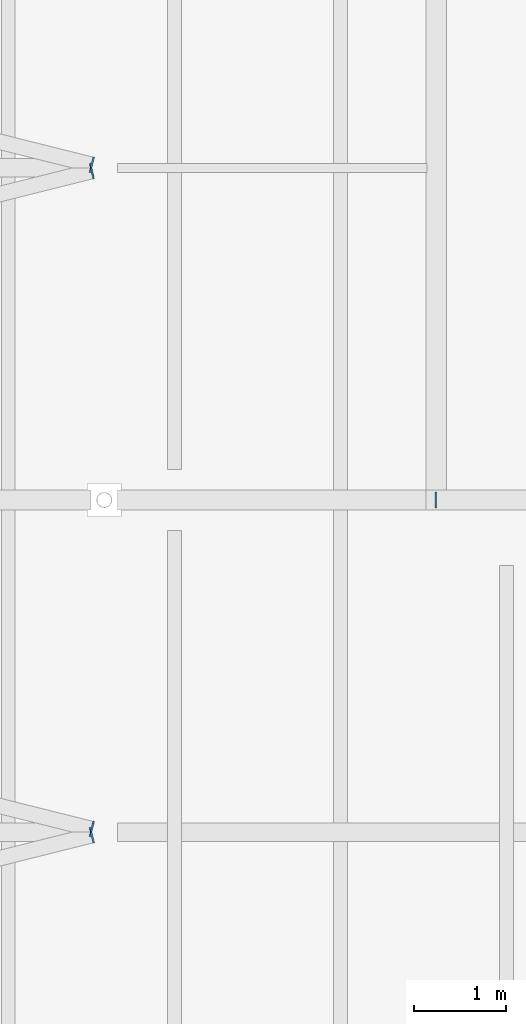
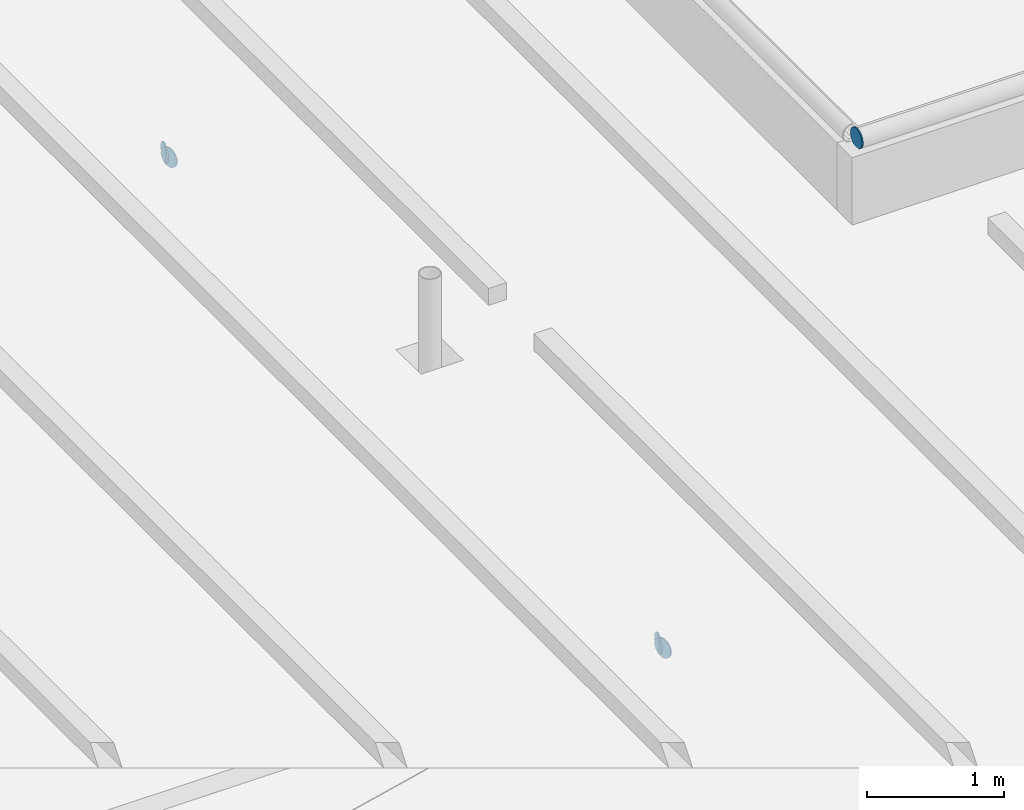
# One storey, part 84 of 120: 5 discrete accessories.
"""IFC4 building model written with IfcOpenShell, lengths in metres."""

from ifc_helpers import new_model, si_unit, direction, frame, origin, origin_2d, place, context, subcontext, project, spatial, circle, extrude, material, layer, layer_set, type_object, element, save


model = new_model("IFC4")

# Units and contexts
model_context = context("Model", 3, precision=1e-05, world=origin(), true_north=direction((0.0, 1.0)))
body_context = subcontext(model_context, "Body", "Model", "MODEL_VIEW")
ifc_project = project(units=[si_unit("LENGTHUNIT", "METRE"), si_unit("AREAUNIT", "SQUARE_METRE"), si_unit("VOLUMEUNIT", "CUBIC_METRE"), si_unit("PLANEANGLEUNIT", "RADIAN"), si_unit("MASSUNIT", "GRAM", prefix="KILO")], contexts=[model_context])

# Site, building, storey
site_placement = place(None, origin())
site = spatial("IfcSite", under=ifc_project, at=site_placement, CompositionType="ELEMENT")
building_placement = place(site_placement, origin())
building = spatial("IfcBuilding", under=site, at=building_placement, Name="Kupolbacken Congress Centre", CompositionType="ELEMENT")
storey_placement = place(building_placement, frame((0.0, 0.0, 21.60009765625)))
storey = spatial("IfcBuildingStorey", under=building, at=storey_placement, Name="L06", CompositionType="ELEMENT", Elevation=21.60009765625)

# Discrete accessories
ifc_material = material(Name="Steel S355", Category="steel")
ifc_layer = layer(ifc_material, 0.011962890625)
ifc_layer_set = layer_set([ifc_layer], Name="Steel S355")
discrete_accessory_type = type_object("IfcDiscreteAccessoryType", Name="EC2 tube end cap plate 168 dia x 12", PredefinedType="BRACKET", material=ifc_layer_set)
for number, where, z_axis, x_axis, name in (
    (1, (136.6591796875, 93.564697265625, -0.084228515625), (0.970142500145, 0.242535625036, 0.0), (-0.242535625036, 0.970142500145, 0.0), "End cap plate HR/RB/03-13 B"),
    (2, (136.6591796875, 93.63525390625, -0.084228515625), (0.970142500145, -0.242535625036, 0.0), (0.242535625036, 0.970142500145, 0.0), "End cap plate HR/RB/03-14 A"),
    (3, (136.6591796875, 100.764892578125, -0.084228515625), (0.974732318528, 0.223376156329, 0.0), (-0.223376156329, 0.974732318528, 0.0), "End cap plate HR/RB/03-15 B"),
    (4, (136.6591796875, 100.835205078125, -0.084228515625), (0.970142500145, -0.242535625036, 0.0), (0.242535625036, 0.970142500145, 0.0), "End cap plate HR/RB/03-16 A"),
    (5, (140.39990234375, 97.199951171875, 0.944091796875), (-1.0, 0.0, 0.0), (0.0, -1.0, 0.0), "End cap plate RD/RL6/FS A"),
):
    element("IfcDiscreteAccessory", number, at=place(storey_placement, frame(where, z_axis=z_axis, x_axis=x_axis)), inside=storey, type_object=discrete_accessory_type, Name=name, PredefinedType="BRACKET", context=body_context, shape_type="SweptSolid", body=[
        extrude(circle(Radius=0.084228515625, at=origin_2d()), origin(), (0.0, 0.0, 1.0), 0.011962890625),
    ])

save(model, "model.ifc")
